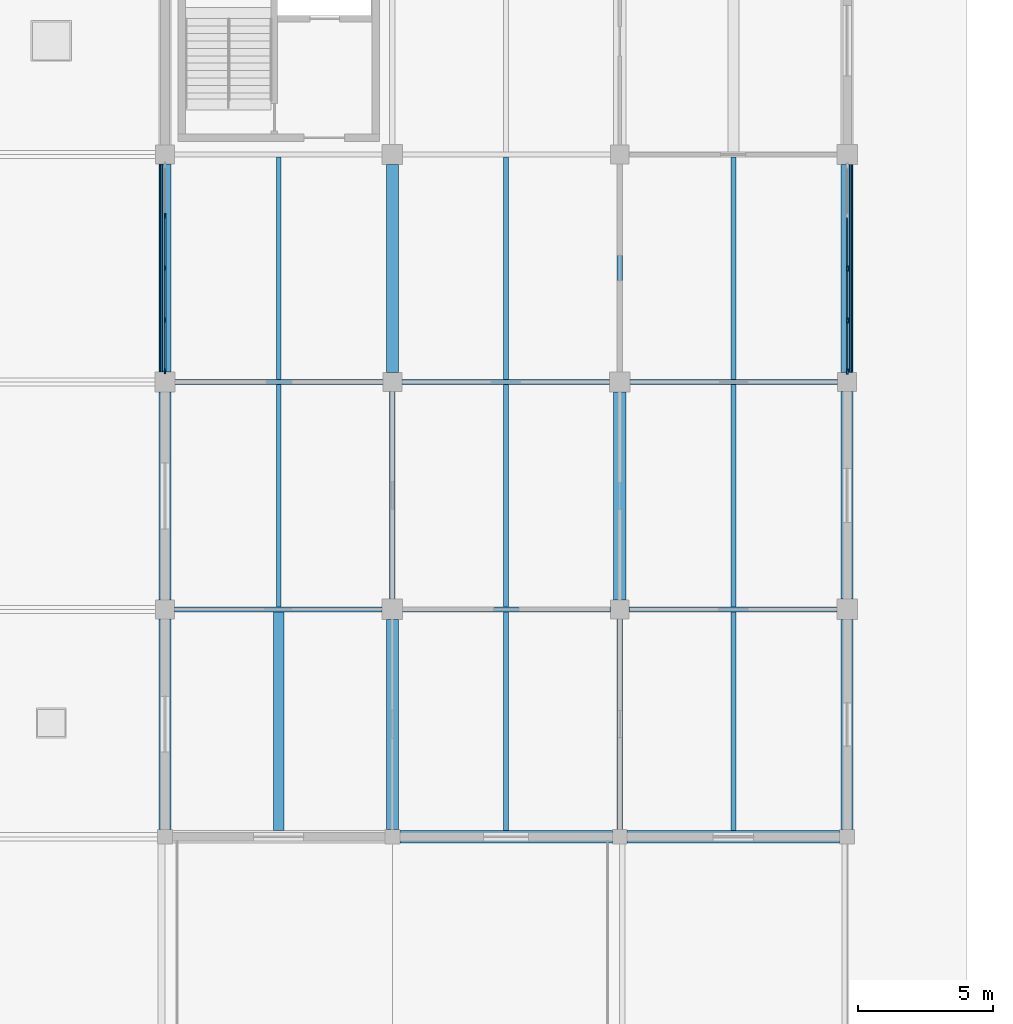
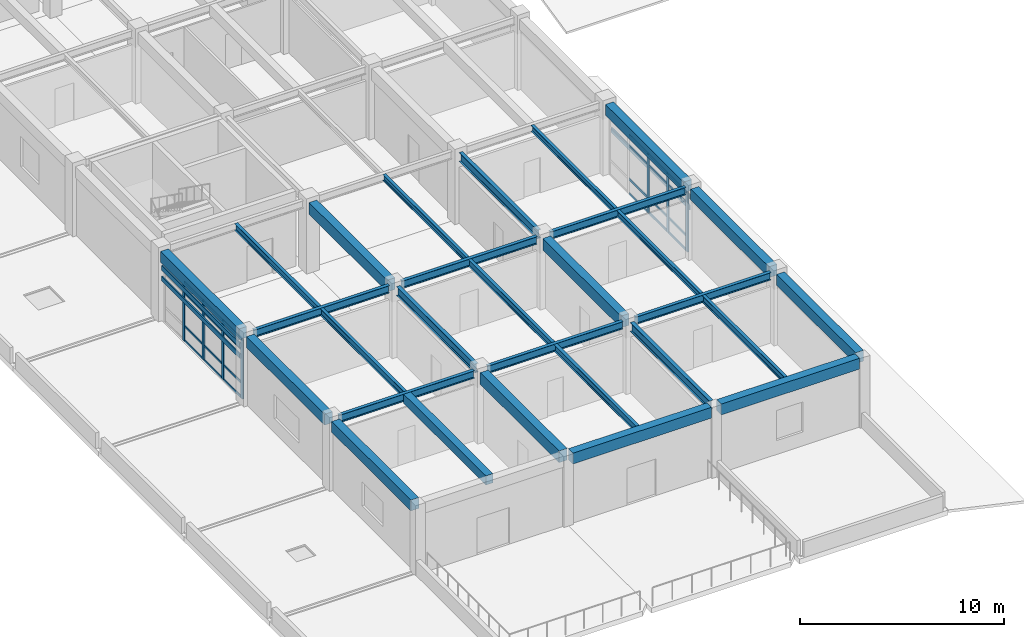
# One storey, part 3 of 78: 35 members, 29 beams, 2 elements without a shape of their own.
"""IFC4 building model written with IfcOpenShell, lengths in metres."""

import ifcopenshell
import ifcopenshell.guid

model = None  # the IFC model being written
_history = None  # IfcOwnerHistory: only IFC2X3 demands one
_inside = {}  # id of a spatial element -> (the spatial element, [elements in it])
_under = {}  # id of a project, library or spatial element -> (it, [spatial elements below it])
_declared = {}  # id of a project -> (the project, [libraries it declares])
_typed = {}  # id of a type object -> (the type object, [elements of that type])
_made_of = {}  # id of a material, layer set ... -> (it, [elements and type objects made of it])


def new_model(schema):
    """Start an empty IFC model of exactly this schema.

    Asked for "IFC4X3", IfcOpenShell would pick the latest addendum, in which some entities
    have other attributes; the version numbers below select the first issue.
    IFC2X3 requires an IfcOwnerHistory on every rooted entity: one is made here for all.
    """
    global model, _history
    if schema == "IFC4X3":
        model = ifcopenshell.file(schema_version=(4, 3, 0, 0))
    else:
        model = ifcopenshell.file(schema=schema)
    _inside.clear()
    _under.clear()
    _declared.clear()
    _typed.clear()
    _made_of.clear()
    _history = None
    if model.schema == "IFC2X3":
        org = make("IfcOrganization", Name="unknown")
        user = make(
            "IfcPersonAndOrganization",
            ThePerson=make("IfcPerson", FamilyName="unknown"),
            TheOrganization=org,
        )
        app = make(
            "IfcApplication",
            ApplicationDeveloper=org,
            Version="unknown",
            ApplicationFullName="unknown",
            ApplicationIdentifier="unknown",
        )
        _history = make(
            "IfcOwnerHistory",
            OwningUser=user,
            OwningApplication=app,
            ChangeAction="ADDED",
            CreationDate=0,
        )
    return model


def make(cls, **values):
    """One entity of the class cls with the attributes given. An attribute that is None is left unset."""
    return model.create_entity(
        cls, **{name: value for name, value in values.items() if value is not None}
    )


def rooted(cls, **values):
    """An entity with a GlobalId (a new one), such as an element, a storey or a relation."""
    return make(cls, GlobalId=ifcopenshell.guid.new(), OwnerHistory=_history, **values)


def si_unit(unit_type, name, prefix=None):
    """IfcSIUnit, for example si_unit("LENGTHUNIT", "METRE", prefix="MILLI")."""
    return make("IfcSIUnit", UnitType=unit_type, Prefix=prefix, Name=name)


def assignment(units):
    """IfcUnitAssignment: the units of a project."""
    return None if units is None else make("IfcUnitAssignment", Units=units)


def point(xyz):
    """IfcCartesianPoint."""
    return None if xyz is None else make("IfcCartesianPoint", Coordinates=xyz)


def direction(xyz):
    """IfcDirection."""
    return None if xyz is None else make("IfcDirection", DirectionRatios=xyz)


def frame(location, z_axis=None, x_axis=None):
    """IfcAxis2Placement3D, a coordinate frame: its origin and axes. An axis left out is left unset."""
    return make(
        "IfcAxis2Placement3D",
        Location=point(location),
        Axis=direction(z_axis),
        RefDirection=direction(x_axis),
    )


def frame_2d(location, x_axis=None):
    """IfcAxis2Placement2D, a coordinate frame in the plane: its origin and x axis."""
    return make(
        "IfcAxis2Placement2D", Location=point(location), RefDirection=direction(x_axis)
    )


def origin():
    """The frame at (0, 0, 0) with its axes left unset."""
    return frame((0.0, 0.0, 0.0))


def origin_2d():
    """The frame at (0, 0) in the plane with its x axis left unset."""
    return frame_2d((0.0, 0.0))


def place(relative_to, where):
    """IfcLocalPlacement: puts the frame where relative to a parent placement (None: the world)."""
    return make(
        "IfcLocalPlacement", PlacementRelTo=relative_to, RelativePlacement=where
    )


def context(
    kind, dimensions, precision=None, world=None, true_north=None, identifier=None
):
    """IfcGeometricRepresentationContext, for example the 3D "Model" context."""
    return make(
        "IfcGeometricRepresentationContext",
        ContextIdentifier=identifier,
        ContextType=kind,
        CoordinateSpaceDimension=dimensions,
        Precision=precision,
        WorldCoordinateSystem=world,
        TrueNorth=true_north,
    )


def subcontext(parent, identifier, kind, view, scale=None):
    """IfcGeometricRepresentationSubContext, for example "Body" below "Model"."""
    return make(
        "IfcGeometricRepresentationSubContext",
        ContextIdentifier=identifier,
        ContextType=kind,
        ParentContext=parent,
        TargetScale=scale,
        TargetView=view,
    )


def project(units=None, contexts=None):
    """IfcProject with its units and contexts."""
    return rooted(
        "IfcProject",
        Name="project",
        RepresentationContexts=contexts,
        UnitsInContext=assignment(units),
    )


def spatial(cls, under=None, at=None, **own):
    """A site, building, storey or space (cls), placed at a placement, below another one or the project."""
    s = rooted(cls, ObjectPlacement=at, **own)
    if under is not None:
        _under.setdefault(under.id(), (under, []))[1].append(s)
    return s


def profile(cls, at=None, kind="AREA", **sizes):
    """A parametric profile (cls). Its sizes go by their IFC names, for example OverallWidth=200.0."""
    return make(cls, ProfileType=kind, Position=at, **sizes)


def rectangle(**sizes):
    """IfcRectangleProfileDef."""
    return profile("IfcRectangleProfileDef", **sizes)


def i_section(**sizes):
    """IfcIShapeProfileDef."""
    return profile("IfcIShapeProfileDef", **sizes)


def extrude(swept, where, along, depth):
    """IfcExtrudedAreaSolid: the profile swept, set in the frame where, extruded along a direction by depth."""
    return make(
        "IfcExtrudedAreaSolid",
        SweptArea=swept,
        Position=where,
        ExtrudedDirection=direction(along),
        Depth=depth,
    )


def shape(context_of_items, identifier, shape_type, items):
    """IfcShapeRepresentation: the items that make up one representation, for example the "Body"."""
    return make(
        "IfcShapeRepresentation",
        ContextOfItems=context_of_items,
        RepresentationIdentifier=identifier,
        RepresentationType=shape_type,
        Items=items,
    )


def material(Name=None, Category=None):
    """IfcMaterial."""
    return make("IfcMaterial", Name=Name, Category=Category)


def layer(
    of_material, thickness, ventilated=None, Name=None, Category=None, Priority=None
):
    """IfcMaterialLayer: one layer of a wall or slab, of a material (None: an air gap)."""
    return make(
        "IfcMaterialLayer",
        Material=of_material,
        LayerThickness=thickness,
        IsVentilated=ventilated,
        Name=Name,
        Category=Category,
        Priority=Priority,
    )


def layer_set(layers, Name=None):
    """IfcMaterialLayerSet."""
    return make("IfcMaterialLayerSet", MaterialLayers=layers, LayerSetName=Name)


def material_profile(
    of_material, cross_section, Name=None, Category=None, Priority=None
):
    """IfcMaterialProfile: a cross section and its material."""
    return make(
        "IfcMaterialProfile",
        Name=Name,
        Material=of_material,
        Profile=cross_section,
        Priority=Priority,
        Category=Category,
    )


def profile_set(profiles, Name=None, composite=None):
    """IfcMaterialProfileSet."""
    return make(
        "IfcMaterialProfileSet",
        Name=Name,
        MaterialProfiles=profiles,
        CompositeProfile=composite,
    )


def made_of(thing, what):
    """Note that an element or type object is made of a material, layer set ...; save() writes the relation."""
    if what is not None:
        _made_of.setdefault(what.id(), (what, []))[1].append(thing)
    return thing


def type_object(cls, material=None, **own):
    """A type object (cls), such as IfcWallType, which elements share."""
    return made_of(rooted(cls, **own), material)


def element(
    cls,
    number,
    at=None,
    inside=None,
    cuts=None,
    type_object=None,
    material=None,
    context=None,
    identifier="Body",
    shape_type=None,
    held_by="IfcProductDefinitionShape",
    body=None,
    shapes=None,
    **own,
):
    """One element of the class cls, such as IfcWall. Its Tag is "e" and its number.

    at: its placement. inside: the storey or other place that contains it. cuts: it is an
    opening in that element (IfcRelVoidsElement). A single representation is given by context,
    identifier, shape_type and body (its items); several are given by shapes. held_by: the class
    of the entity that holds the representations. save() writes the other relations.
    """
    e = rooted(cls, Tag="e%d" % number, ObjectPlacement=at, **own)
    if body is not None:
        shapes = [shape(context, identifier, shape_type, body)]
    if shapes is not None:
        e.Representation = make(held_by, Representations=shapes)
    if inside is not None:
        _inside.setdefault(inside.id(), (inside, []))[1].append(e)
    if cuts is not None:
        rooted(
            "IfcRelVoidsElement", RelatingBuildingElement=cuts, RelatedOpeningElement=e
        )
    if type_object is not None:
        _typed.setdefault(type_object.id(), (type_object, []))[1].append(e)
    return made_of(e, material)


def aggregate(whole, parts):
    """IfcRelAggregates: a whole, such as a stair, and the parts it consists of."""
    return rooted("IfcRelAggregates", RelatingObject=whole, RelatedObjects=parts)


def save(model, path):
    """Write the relations noted so far, then the file.

    IfcRelAggregates (storeys below a building ...), IfcRelContainedInSpatialStructure (elements
    in a storey), IfcRelDefinesByType, IfcRelAssociatesMaterial and IfcRelDeclares: one each for
    every whole, place, type object, material and project.
    """
    for whole, parts in _under.values():
        aggregate(whole, parts)
    for where, things in _inside.values():
        rooted(
            "IfcRelContainedInSpatialStructure",
            RelatedElements=things,
            RelatingStructure=where,
        )
    for kind, things in _typed.values():
        rooted("IfcRelDefinesByType", RelatedObjects=things, RelatingType=kind)
    for what, things in _made_of.values():
        rooted("IfcRelAssociatesMaterial", RelatedObjects=things, RelatingMaterial=what)
    for by, libraries in _declared.values():
        rooted("IfcRelDeclares", RelatingContext=by, RelatedDefinitions=libraries)
    model.write(path)


model = new_model("IFC4")

# Units and contexts
model_context = context("Model", 3, precision=1e-05, world=origin(), true_north=direction((0.0, 1.0)))
body_context = subcontext(model_context, "Body", "Model", "MODEL_VIEW")
ifc_project = project(units=[si_unit("LENGTHUNIT", "METRE"), si_unit("AREAUNIT", "SQUARE_METRE"), si_unit("VOLUMEUNIT", "CUBIC_METRE"), si_unit("PLANEANGLEUNIT", "RADIAN"), si_unit("MASSUNIT", "GRAM", prefix="KILO")], contexts=[model_context])

# Site, building, storey
site_placement = place(None, origin())
site = spatial("IfcSite", under=ifc_project, at=site_placement, CompositionType="ELEMENT")
building_placement = place(site_placement, origin())
building = spatial("IfcBuilding", under=site, at=building_placement, Name="Porcellanite Civic Hall", CompositionType="ELEMENT")
storey_placement = place(building_placement, frame((0.0, 0.0, 10.260009765625)))
storey = spatial("IfcBuildingStorey", under=building, at=storey_placement, Name="L02", CompositionType="ELEMENT", Elevation=10.260009765625)

# Beams
ifc_material_1 = material(Name="Concrete N50 (50 MPa)", Category="concrete")
ifc_material_profile_1 = material_profile(ifc_material_1, rectangle(XDim=0.39990234375, YDim=0.550048828125, at=origin_2d()), Name="RC-400x550")
ifc_profile_set_1 = profile_set([ifc_material_profile_1], Name="Concrete N50 (50 MPa)")
beam_type_1 = type_object("IfcBeamType", Name="BM-RC550", PredefinedType="JOIST", material=ifc_profile_set_1)
beam_1_placement = place(storey_placement, frame((12.60009765625, 8.62451171875, 3.965087890625), z_axis=(0.0, 1.0, 0.0), x_axis=(-1.0, 0.0, 0.0)))
element("IfcBeam", 1, at=beam_1_placement, inside=storey, type_object=beam_type_1, Name="Secondary joist L02 2-2", PredefinedType="JOIST", context=body_context, shape_type="SweptSolid", body=[
    extrude(rectangle(XDim=0.39990234375, YDim=0.550048828125, at=origin_2d()), origin(), (0.0, 0.0, 1.0), 8.0810546875),
])
ifc_material_2 = material(Name="Concrete N50 (50 MPa)", Category="concrete")
ifc_material_profile_2 = material_profile(ifc_material_2, rectangle(XDim=0.449951171875, YDim=0.64990234375, at=origin_2d()), Name="RC-450x650")
ifc_profile_set_2 = profile_set([ifc_material_profile_2], Name="Concrete N50 (50 MPa)")
beam_type_2 = type_object("IfcBeamType", Name="BM-RC650", PredefinedType="SPANDREL", material=ifc_profile_set_2)
beam_2_placement = place(storey_placement, frame((17.074462890625, 8.39990234375, 3.9150390625), z_axis=(1.0, 0.0, 0.0), x_axis=(0.0, 1.0, 0.0)))
element("IfcBeam", 2, at=beam_2_placement, inside=storey, type_object=beam_type_2, Name="Beam X L02 3-2", PredefinedType="SPANDREL", context=body_context, shape_type="SweptSolid", body=[
    extrude(rectangle(XDim=0.449951171875, YDim=0.64990234375, at=origin_2d()), origin(), (0.0, 0.0, 1.0), 7.85107421875),
])
beam_3_placement = place(storey_placement, frame((25.474609375, 8.39990234375, 3.9150390625), z_axis=(1.0, 0.0, 0.0), x_axis=(0.0, 1.0, 0.0)))
element("IfcBeam", 3, at=beam_3_placement, inside=storey, type_object=beam_type_2, Name="Beam X L02 4-2", PredefinedType="SPANDREL", context=body_context, shape_type="SweptSolid", body=[
    extrude(rectangle(XDim=0.449951171875, YDim=0.64990234375, at=origin_2d()), origin(), (0.0, 0.0, 1.0), 7.850830078125),
])
beam_4_placement = place(storey_placement, frame((8.39990234375, 8.674560546875, 3.9150390625), z_axis=(0.0, 1.0, 0.0), x_axis=(-1.0, 0.0, 0.0)))
element("IfcBeam", 4, at=beam_4_placement, inside=storey, type_object=beam_type_2, Name="Beam Y L02 2-2", PredefinedType="SPANDREL", context=body_context, shape_type="SweptSolid", body=[
    extrude(rectangle(XDim=0.449951171875, YDim=0.64990234375, at=origin_2d()), origin(), (0.0, 0.0, 1.0), 7.77587890625),
])
for number, where, z_axis, x_axis, name in (
    (5, (8.39990234375, 17.1494140625, 3.9150390625), (0.0, 1.0, 0.0), (-1.0, 0.0, 0.0), "Beam Y L02 2-3"),
    (6, (8.39990234375, 25.574462890625, 3.9150390625), (0.0, 1.0, 0.0), (-1.0, 0.0, 0.0), "Beam Y L02 2-4"),
):
    element("IfcBeam", number, at=place(storey_placement, frame(where, z_axis=z_axis, x_axis=x_axis)), inside=storey, type_object=beam_type_2, Name=name, PredefinedType="SPANDREL", context=body_context, shape_type="SweptSolid", body=[
        extrude(rectangle(XDim=0.449951171875, YDim=0.64990234375, at=origin_2d()), origin(), (0.0, 0.0, 1.0), 7.676025390625),
    ])
beam_5_placement = place(storey_placement, frame((33.60009765625, 8.674560546875, 3.9150390625), z_axis=(0.0, 1.0, 0.0), x_axis=(-1.0, 0.0, 0.0)))
element("IfcBeam", 7, at=beam_5_placement, inside=storey, type_object=beam_type_2, Name="Beam Y L02 5-2", PredefinedType="SPANDREL", context=body_context, shape_type="SweptSolid", body=[
    extrude(rectangle(XDim=0.449951171875, YDim=0.64990234375, at=origin_2d()), origin(), (0.0, 0.0, 1.0), 7.7509765625),
])
for number, where, z_axis, x_axis, name in (
    (8, (33.60009765625, 17.174560546875, 3.9150390625), (0.0, 1.0, 0.0), (-1.0, 0.0, 0.0), "Beam Y L02 5-3"),
    (9, (33.60009765625, 25.549560546875, 3.9150390625), (0.0, 1.0, 0.0), (-1.0, 0.0, 0.0), "Beam Y L02 5-4"),
):
    element("IfcBeam", number, at=place(storey_placement, frame(where, z_axis=z_axis, x_axis=x_axis)), inside=storey, type_object=beam_type_2, Name=name, PredefinedType="SPANDREL", context=body_context, shape_type="SweptSolid", body=[
        extrude(rectangle(XDim=0.449951171875, YDim=0.64990234375, at=origin_2d()), origin(), (0.0, 0.0, 1.0), 7.676025390625),
    ])
ifc_material_3 = material(Name="Concrete N50 (50 MPa)", Category="concrete")
ifc_material_profile_3 = material_profile(ifc_material_3, rectangle(XDim=0.449951171875, YDim=0.699951171875, at=origin_2d()), Name="RC-450x700")
ifc_profile_set_3 = profile_set([ifc_material_profile_3], Name="Concrete N50 (50 MPa)")
beam_type_3 = type_object("IfcBeamType", Name="BM-RC700", PredefinedType="BEAM", material=ifc_profile_set_3)
beam_6_placement = place(storey_placement, frame((16.800048828125, 8.674560546875, 3.889892578125), z_axis=(0.0, 1.0, 0.0), x_axis=(-1.0, 0.0, 0.0)))
element("IfcBeam", 10, at=beam_6_placement, inside=storey, type_object=beam_type_3, Name="Beam Y L02 3-2", PredefinedType="BEAM", context=body_context, shape_type="SweptSolid", body=[
    extrude(rectangle(XDim=0.449951171875, YDim=0.699951171875, at=origin_2d()), origin(), (0.0, 0.0, 1.0), 7.7509765625),
])
for number, where, z_axis, x_axis, name in (
    (11, (16.800048828125, 25.549560546875, 3.889892578125), (0.0, 1.0, 0.0), (-1.0, 0.0, 0.0), "Beam Y L02 3-4"),
    (12, (25.199951171875, 17.1494140625, 3.889892578125), (0.0, 1.0, 0.0), (-1.0, 0.0, 0.0), "Beam Y L02 4-3"),
):
    element("IfcBeam", number, at=place(storey_placement, frame(where, z_axis=z_axis, x_axis=x_axis)), inside=storey, type_object=beam_type_3, Name=name, PredefinedType="BEAM", context=body_context, shape_type="SweptSolid", body=[
        extrude(rectangle(XDim=0.449951171875, YDim=0.699951171875, at=origin_2d()), origin(), (0.0, 0.0, 1.0), 7.676025390625),
    ])

# Curtain wall, members
ifc_material_4 = material(Name="Anodised aluminium and solar laminated glass", Category="aluminium")
ifc_layer = layer(ifc_material_4, 0.179931640625)
ifc_layer_set = layer_set([ifc_layer], Name="Anodised aluminium and solar laminated glass")
curtain_wall_type = type_object("IfcCurtainWallType", Name="CW-SYS05", PredefinedType="NOTDEFINED", material=ifc_layer_set)
curtain_wall_1_placement = place(storey_placement, origin())
curtain_wall_1 = element("IfcCurtainWall", 13, at=curtain_wall_1_placement, inside=storey, type_object=curtain_wall_type, Name="Curtain wall CW-132", PredefinedType="NOTDEFINED")
ifc_material_5 = material(Name="Anodised aluminium 6063-T6", Category="aluminium")
ifc_material_profile_4 = material_profile(ifc_material_5, rectangle(XDim=0.070068359375, YDim=0.199951171875, at=origin_2d()), Name="AL-70x200")
ifc_profile_set_4 = profile_set([ifc_material_profile_4], Name="Anodised aluminium 6063-T6")
member_type_1 = type_object("IfcMemberType", Name="CWM-05", PredefinedType="MULLION", material=ifc_profile_set_4)
member_1_placement = place(storey_placement, frame((8.39990234375, 25.611083984375, 0.0), z_axis=(0.0, 0.0, 1.0), x_axis=(-1.0, 0.0, 0.0)))
member_1 = element("IfcMember", 14, at=member_1_placement, type_object=member_type_1, Name="CW-132 mullion 1", PredefinedType="MULLION", context=body_context, shape_type="SweptSolid", body=[
    extrude(rectangle(XDim=0.070068359375, YDim=0.199951171875, at=origin_2d()), origin(), (0.0, 0.0, 1.0), 3.5400390625),
])
member_2_placement = place(storey_placement, frame((8.39990234375, 27.494140625, 0.0), z_axis=(0.0, 0.0, 1.0), x_axis=(-1.0, 0.0, 0.0)))
member_2 = element("IfcMember", 15, at=member_2_placement, type_object=member_type_1, Name="CW-132 mullion 2", PredefinedType="MULLION", context=body_context, shape_type="SweptSolid", body=[
    extrude(rectangle(XDim=0.070068359375, YDim=0.199951171875, at=origin_2d()), origin(), (0.0, 0.0, 1.0), 3.5400390625),
])
member_3_placement = place(storey_placement, frame((8.39990234375, 29.41259765625, 0.0), z_axis=(0.0, 0.0, 1.0), x_axis=(-1.0, 0.0, 0.0)))
member_3 = element("IfcMember", 16, at=member_3_placement, type_object=member_type_1, Name="CW-132 mullion 3", PredefinedType="MULLION", context=body_context, shape_type="SweptSolid", body=[
    extrude(rectangle(XDim=0.070068359375, YDim=0.199951171875, at=origin_2d()), origin(), (0.0, 0.0, 1.0), 3.5400390625),
])
member_4_placement = place(storey_placement, frame((8.39990234375, 31.330810546875, 0.0), z_axis=(0.0, 0.0, 1.0), x_axis=(-1.0, 0.0, 0.0)))
member_4 = element("IfcMember", 17, at=member_4_placement, type_object=member_type_1, Name="CW-132 mullion 4", PredefinedType="MULLION", context=body_context, shape_type="SweptSolid", body=[
    extrude(rectangle(XDim=0.070068359375, YDim=0.199951171875, at=origin_2d()), origin(), (0.0, 0.0, 1.0), 3.5400390625),
])

curtain_wall_2_placement = place(storey_placement, origin())
curtain_wall_2 = element("IfcCurtainWall", 18, at=curtain_wall_2_placement, inside=storey, type_object=curtain_wall_type, Name="Curtain wall CW-135", PredefinedType="NOTDEFINED")
member_5_placement = place(storey_placement, frame((33.60009765625, 29.387451171875, 0.0), z_axis=(0.0, 0.0, 1.0), x_axis=(1.0, 0.0, 0.0)))
member_5 = element("IfcMember", 19, at=member_5_placement, type_object=member_type_1, Name="CW-135 mullion 3", PredefinedType="MULLION", context=body_context, shape_type="SweptSolid", body=[
    extrude(rectangle(XDim=0.070068359375, YDim=0.199951171875, at=origin_2d()), origin(), (0.0, 0.0, 1.0), 3.5400390625),
])
member_6_placement = place(storey_placement, frame((33.60009765625, 27.46923828125, 0.0), z_axis=(0.0, 0.0, 1.0), x_axis=(1.0, 0.0, 0.0)))
member_6 = element("IfcMember", 20, at=member_6_placement, type_object=member_type_1, Name="CW-135 mullion 4", PredefinedType="MULLION", context=body_context, shape_type="SweptSolid", body=[
    extrude(rectangle(XDim=0.070068359375, YDim=0.199951171875, at=origin_2d()), origin(), (0.0, 0.0, 1.0), 3.5400390625),
])
member_7_placement = place(storey_placement, frame((33.60009765625, 25.5859375, 0.0), z_axis=(0.0, 0.0, 1.0), x_axis=(1.0, 0.0, 0.0)))
member_7 = element("IfcMember", 21, at=member_7_placement, type_object=member_type_1, Name="CW-135 mullion 5", PredefinedType="MULLION", context=body_context, shape_type="SweptSolid", body=[
    extrude(rectangle(XDim=0.070068359375, YDim=0.199951171875, at=origin_2d()), origin(), (0.0, 0.0, 1.0), 3.5400390625),
])

# Member
ifc_material_6 = material(Name="Anodised aluminium 6063-T6", Category="aluminium")
ifc_material_profile_5 = material_profile(ifc_material_6, rectangle(XDim=0.06005859375, YDim=0.1298828125, at=origin_2d()), Name="AL-60x130")
ifc_profile_set_5 = profile_set([ifc_material_profile_5], Name="Anodised aluminium 6063-T6")
member_type_2 = type_object("IfcMemberType", Name="CWT-03", PredefinedType="USERDEFINED", material=ifc_profile_set_5)
member_8_placement = place(storey_placement, frame((8.39990234375, 25.64599609375, 0.030029296875), z_axis=(0.0, 1.0, 0.0), x_axis=(-1.0, 0.0, 0.0)))
member_8 = element("IfcMember", 22, at=member_8_placement, type_object=member_type_2, Name="CW-132 transom 1.1", ObjectType="TRANSOM", PredefinedType="USERDEFINED", context=body_context, shape_type="SweptSolid", body=[
    extrude(rectangle(XDim=0.06005859375, YDim=0.1298828125, at=origin_2d()), origin(), (0.0, 0.0, 1.0), 1.813232421875),
])

member_9_placement = place(storey_placement, frame((8.39990234375, 25.64599609375, 0.89990234375), z_axis=(0.0, 1.0, 0.0), x_axis=(-1.0, 0.0, 0.0)))
member_9 = element("IfcMember", 23, at=member_9_placement, type_object=member_type_2, Name="CW-132 transom 1.2", ObjectType="TRANSOM", PredefinedType="USERDEFINED", context=body_context, shape_type="SweptSolid", body=[
    extrude(rectangle(XDim=0.06005859375, YDim=0.1298828125, at=origin_2d()), origin(), (0.0, 0.0, 1.0), 1.813232421875),
])

member_10_placement = place(storey_placement, frame((8.39990234375, 25.64599609375, 2.889892578125), z_axis=(0.0, 1.0, 0.0), x_axis=(-1.0, 0.0, 0.0)))
member_10 = element("IfcMember", 24, at=member_10_placement, type_object=member_type_2, Name="CW-132 transom 1.3", ObjectType="TRANSOM", PredefinedType="USERDEFINED", context=body_context, shape_type="SweptSolid", body=[
    extrude(rectangle(XDim=0.06005859375, YDim=0.1298828125, at=origin_2d()), origin(), (0.0, 0.0, 1.0), 1.813232421875),
])

member_11_placement = place(storey_placement, frame((8.39990234375, 25.64599609375, 3.510009765625), z_axis=(0.0, 1.0, 0.0), x_axis=(-1.0, 0.0, 0.0)))
member_11 = element("IfcMember", 25, at=member_11_placement, type_object=member_type_2, Name="CW-132 transom 1.4", ObjectType="TRANSOM", PredefinedType="USERDEFINED", context=body_context, shape_type="SweptSolid", body=[
    extrude(rectangle(XDim=0.06005859375, YDim=0.1298828125, at=origin_2d()), origin(), (0.0, 0.0, 1.0), 1.813232421875),
])

member_12_placement = place(storey_placement, frame((8.39990234375, 27.529296875, 0.030029296875), z_axis=(0.0, 1.0, 0.0), x_axis=(-1.0, 0.0, 0.0)))
member_12 = element("IfcMember", 26, at=member_12_placement, type_object=member_type_2, Name="CW-132 transom 2.1", ObjectType="TRANSOM", PredefinedType="USERDEFINED", context=body_context, shape_type="SweptSolid", body=[
    extrude(rectangle(XDim=0.06005859375, YDim=0.1298828125, at=origin_2d()), origin(), (0.0, 0.0, 1.0), 1.84814453125),
])

member_13_placement = place(storey_placement, frame((8.39990234375, 27.529296875, 0.89990234375), z_axis=(0.0, 1.0, 0.0), x_axis=(-1.0, 0.0, 0.0)))
member_13 = element("IfcMember", 27, at=member_13_placement, type_object=member_type_2, Name="CW-132 transom 2.2", ObjectType="TRANSOM", PredefinedType="USERDEFINED", context=body_context, shape_type="SweptSolid", body=[
    extrude(rectangle(XDim=0.06005859375, YDim=0.1298828125, at=origin_2d()), origin(), (0.0, 0.0, 1.0), 1.84814453125),
])

member_14_placement = place(storey_placement, frame((8.39990234375, 27.529296875, 2.889892578125), z_axis=(0.0, 1.0, 0.0), x_axis=(-1.0, 0.0, 0.0)))
member_14 = element("IfcMember", 28, at=member_14_placement, type_object=member_type_2, Name="CW-132 transom 2.3", ObjectType="TRANSOM", PredefinedType="USERDEFINED", context=body_context, shape_type="SweptSolid", body=[
    extrude(rectangle(XDim=0.06005859375, YDim=0.1298828125, at=origin_2d()), origin(), (0.0, 0.0, 1.0), 1.84814453125),
])

member_15_placement = place(storey_placement, frame((8.39990234375, 27.529296875, 3.510009765625), z_axis=(0.0, 1.0, 0.0), x_axis=(-1.0, 0.0, 0.0)))
member_15 = element("IfcMember", 29, at=member_15_placement, type_object=member_type_2, Name="CW-132 transom 2.4", ObjectType="TRANSOM", PredefinedType="USERDEFINED", context=body_context, shape_type="SweptSolid", body=[
    extrude(rectangle(XDim=0.06005859375, YDim=0.1298828125, at=origin_2d()), origin(), (0.0, 0.0, 1.0), 1.84814453125),
])

member_16_placement = place(storey_placement, frame((8.39990234375, 29.447509765625, 0.030029296875), z_axis=(0.0, 1.0, 0.0), x_axis=(-1.0, 0.0, 0.0)))
member_16 = element("IfcMember", 30, at=member_16_placement, type_object=member_type_2, Name="CW-132 transom 3.1", ObjectType="TRANSOM", PredefinedType="USERDEFINED", context=body_context, shape_type="SweptSolid", body=[
    extrude(rectangle(XDim=0.06005859375, YDim=0.1298828125, at=origin_2d()), origin(), (0.0, 0.0, 1.0), 1.84814453125),
])

member_17_placement = place(storey_placement, frame((8.39990234375, 29.447509765625, 0.89990234375), z_axis=(0.0, 1.0, 0.0), x_axis=(-1.0, 0.0, 0.0)))
member_17 = element("IfcMember", 31, at=member_17_placement, type_object=member_type_2, Name="CW-132 transom 3.2", ObjectType="TRANSOM", PredefinedType="USERDEFINED", context=body_context, shape_type="SweptSolid", body=[
    extrude(rectangle(XDim=0.06005859375, YDim=0.1298828125, at=origin_2d()), origin(), (0.0, 0.0, 1.0), 1.84814453125),
])

member_18_placement = place(storey_placement, frame((8.39990234375, 29.447509765625, 2.889892578125), z_axis=(0.0, 1.0, 0.0), x_axis=(-1.0, 0.0, 0.0)))
member_18 = element("IfcMember", 32, at=member_18_placement, type_object=member_type_2, Name="CW-132 transom 3.3", ObjectType="TRANSOM", PredefinedType="USERDEFINED", context=body_context, shape_type="SweptSolid", body=[
    extrude(rectangle(XDim=0.06005859375, YDim=0.1298828125, at=origin_2d()), origin(), (0.0, 0.0, 1.0), 1.84814453125),
])

member_19_placement = place(storey_placement, frame((8.39990234375, 29.447509765625, 3.510009765625), z_axis=(0.0, 1.0, 0.0), x_axis=(-1.0, 0.0, 0.0)))
member_19 = element("IfcMember", 33, at=member_19_placement, type_object=member_type_2, Name="CW-132 transom 3.4", ObjectType="TRANSOM", PredefinedType="USERDEFINED", context=body_context, shape_type="SweptSolid", body=[
    extrude(rectangle(XDim=0.06005859375, YDim=0.1298828125, at=origin_2d()), origin(), (0.0, 0.0, 1.0), 1.84814453125),
])

aggregate(curtain_wall_1, [member_1, member_2, member_3, member_4, member_8, member_9, member_10, member_11, member_12, member_13, member_14, member_15, member_16, member_17, member_18, member_19])

member_20_placement = place(storey_placement, frame((33.60009765625, 31.270751953125, 0.030029296875), z_axis=(0.0, -1.0, 0.0), x_axis=(1.0, 0.0, 0.0)))
member_20 = element("IfcMember", 34, at=member_20_placement, type_object=member_type_2, Name="CW-135 transom 2.1", ObjectType="TRANSOM", PredefinedType="USERDEFINED", context=body_context, shape_type="SweptSolid", body=[
    extrude(rectangle(XDim=0.06005859375, YDim=0.1298828125, at=origin_2d()), origin(), (0.0, 0.0, 1.0), 1.84814453125),
])

member_21_placement = place(storey_placement, frame((33.60009765625, 31.270751953125, 0.89990234375), z_axis=(0.0, -1.0, 0.0), x_axis=(1.0, 0.0, 0.0)))
member_21 = element("IfcMember", 35, at=member_21_placement, type_object=member_type_2, Name="CW-135 transom 2.2", ObjectType="TRANSOM", PredefinedType="USERDEFINED", context=body_context, shape_type="SweptSolid", body=[
    extrude(rectangle(XDim=0.06005859375, YDim=0.1298828125, at=origin_2d()), origin(), (0.0, 0.0, 1.0), 1.84814453125),
])

member_22_placement = place(storey_placement, frame((33.60009765625, 31.270751953125, 2.889892578125), z_axis=(0.0, -1.0, 0.0), x_axis=(1.0, 0.0, 0.0)))
member_22 = element("IfcMember", 36, at=member_22_placement, type_object=member_type_2, Name="CW-135 transom 2.3", ObjectType="TRANSOM", PredefinedType="USERDEFINED", context=body_context, shape_type="SweptSolid", body=[
    extrude(rectangle(XDim=0.06005859375, YDim=0.1298828125, at=origin_2d()), origin(), (0.0, 0.0, 1.0), 1.84814453125),
])

member_23_placement = place(storey_placement, frame((33.60009765625, 31.270751953125, 3.510009765625), z_axis=(0.0, -1.0, 0.0), x_axis=(1.0, 0.0, 0.0)))
member_23 = element("IfcMember", 37, at=member_23_placement, type_object=member_type_2, Name="CW-135 transom 2.4", ObjectType="TRANSOM", PredefinedType="USERDEFINED", context=body_context, shape_type="SweptSolid", body=[
    extrude(rectangle(XDim=0.06005859375, YDim=0.1298828125, at=origin_2d()), origin(), (0.0, 0.0, 1.0), 1.84814453125),
])

member_24_placement = place(storey_placement, frame((33.60009765625, 29.3525390625, 0.030029296875), z_axis=(0.0, -1.0, 0.0), x_axis=(1.0, 0.0, 0.0)))
member_24 = element("IfcMember", 38, at=member_24_placement, type_object=member_type_2, Name="CW-135 transom 3.1", ObjectType="TRANSOM", PredefinedType="USERDEFINED", context=body_context, shape_type="SweptSolid", body=[
    extrude(rectangle(XDim=0.06005859375, YDim=0.1298828125, at=origin_2d()), origin(), (0.0, 0.0, 1.0), 1.848388671875),
])

member_25_placement = place(storey_placement, frame((33.60009765625, 29.3525390625, 0.89990234375), z_axis=(0.0, -1.0, 0.0), x_axis=(1.0, 0.0, 0.0)))
member_25 = element("IfcMember", 39, at=member_25_placement, type_object=member_type_2, Name="CW-135 transom 3.2", ObjectType="TRANSOM", PredefinedType="USERDEFINED", context=body_context, shape_type="SweptSolid", body=[
    extrude(rectangle(XDim=0.06005859375, YDim=0.1298828125, at=origin_2d()), origin(), (0.0, 0.0, 1.0), 1.848388671875),
])

member_26_placement = place(storey_placement, frame((33.60009765625, 29.3525390625, 2.889892578125), z_axis=(0.0, -1.0, 0.0), x_axis=(1.0, 0.0, 0.0)))
member_26 = element("IfcMember", 40, at=member_26_placement, type_object=member_type_2, Name="CW-135 transom 3.3", ObjectType="TRANSOM", PredefinedType="USERDEFINED", context=body_context, shape_type="SweptSolid", body=[
    extrude(rectangle(XDim=0.06005859375, YDim=0.1298828125, at=origin_2d()), origin(), (0.0, 0.0, 1.0), 1.848388671875),
])

member_27_placement = place(storey_placement, frame((33.60009765625, 29.3525390625, 3.510009765625), z_axis=(0.0, -1.0, 0.0), x_axis=(1.0, 0.0, 0.0)))
member_27 = element("IfcMember", 41, at=member_27_placement, type_object=member_type_2, Name="CW-135 transom 3.4", ObjectType="TRANSOM", PredefinedType="USERDEFINED", context=body_context, shape_type="SweptSolid", body=[
    extrude(rectangle(XDim=0.06005859375, YDim=0.1298828125, at=origin_2d()), origin(), (0.0, 0.0, 1.0), 1.848388671875),
])

member_28_placement = place(storey_placement, frame((33.60009765625, 27.434326171875, 0.030029296875), z_axis=(0.0, -1.0, 0.0), x_axis=(1.0, 0.0, 0.0)))
member_28 = element("IfcMember", 42, at=member_28_placement, type_object=member_type_2, Name="CW-135 transom 4.1", ObjectType="TRANSOM", PredefinedType="USERDEFINED", context=body_context, shape_type="SweptSolid", body=[
    extrude(rectangle(XDim=0.06005859375, YDim=0.1298828125, at=origin_2d()), origin(), (0.0, 0.0, 1.0), 1.813232421875),
])

member_29_placement = place(storey_placement, frame((33.60009765625, 27.434326171875, 0.89990234375), z_axis=(0.0, -1.0, 0.0), x_axis=(1.0, 0.0, 0.0)))
member_29 = element("IfcMember", 43, at=member_29_placement, type_object=member_type_2, Name="CW-135 transom 4.2", ObjectType="TRANSOM", PredefinedType="USERDEFINED", context=body_context, shape_type="SweptSolid", body=[
    extrude(rectangle(XDim=0.06005859375, YDim=0.1298828125, at=origin_2d()), origin(), (0.0, 0.0, 1.0), 1.813232421875),
])

member_30_placement = place(storey_placement, frame((33.60009765625, 27.434326171875, 2.889892578125), z_axis=(0.0, -1.0, 0.0), x_axis=(1.0, 0.0, 0.0)))
member_30 = element("IfcMember", 44, at=member_30_placement, type_object=member_type_2, Name="CW-135 transom 4.3", ObjectType="TRANSOM", PredefinedType="USERDEFINED", context=body_context, shape_type="SweptSolid", body=[
    extrude(rectangle(XDim=0.06005859375, YDim=0.1298828125, at=origin_2d()), origin(), (0.0, 0.0, 1.0), 1.813232421875),
])

member_31_placement = place(storey_placement, frame((33.60009765625, 27.434326171875, 3.510009765625), z_axis=(0.0, -1.0, 0.0), x_axis=(1.0, 0.0, 0.0)))
member_31 = element("IfcMember", 45, at=member_31_placement, type_object=member_type_2, Name="CW-135 transom 4.4", ObjectType="TRANSOM", PredefinedType="USERDEFINED", context=body_context, shape_type="SweptSolid", body=[
    extrude(rectangle(XDim=0.06005859375, YDim=0.1298828125, at=origin_2d()), origin(), (0.0, 0.0, 1.0), 1.813232421875),
])

aggregate(curtain_wall_2, [member_5, member_6, member_7, member_20, member_21, member_22, member_23, member_24, member_25, member_26, member_27, member_28, member_29, member_30, member_31])

# Beams
ifc_material_7 = material(Name="Steel Grade 350", Category="steel")
ifc_material_profile_6 = material_profile(ifc_material_7, i_section(OverallWidth=0.1708984375, OverallDepth=0.35595703125, WebThickness=0.00732421875, FlangeThickness=0.011474609375, FilletRadius=0.011474609375, at=origin_2d()), Name="360UB50.7")
ifc_profile_set_6 = profile_set([ifc_material_profile_6], Name="Steel Grade 350")
beam_type_4 = type_object("IfcBeamType", Name="JST-360UB51", PredefinedType="JOIST", material=ifc_profile_set_6)
beam_7_placement = place(storey_placement, frame((29.39990234375, 25.29443359375, 4.06201171875), z_axis=(0.0, 1.0, 0.0), x_axis=(-1.0, 0.0, 0.0)))
element("IfcBeam", 46, at=beam_7_placement, inside=storey, type_object=beam_type_4, Name="Secondary joist L02 4-4", PredefinedType="JOIST", context=body_context, shape_type="SweptSolid", body=[
    extrude(i_section(OverallWidth=0.1708984375, OverallDepth=0.35595703125, WebThickness=0.00732421875, FlangeThickness=0.011474609375, FilletRadius=0.011474609375, at=origin_2d()), origin(), (0.0, 0.0, 1.0), 8.211181640625),
])
ifc_material_8 = material(Name="Steel Grade 350", Category="steel")
ifc_material_profile_7 = material_profile(ifc_material_8, i_section(OverallWidth=0.172119140625, OverallDepth=0.35888671875, WebThickness=0.008056640625, FlangeThickness=0.012939453125, FilletRadius=0.011474609375, at=origin_2d()), Name="360UB56.7")
ifc_profile_set_7 = profile_set([ifc_material_profile_7], Name="Steel Grade 350")
beam_type_5 = type_object("IfcBeamType", Name="JST-360UB57", PredefinedType="JOIST", material=ifc_profile_set_7)
beam_8_placement = place(storey_placement, frame((21.0, 25.29443359375, 4.060546875), z_axis=(0.0, 1.0, 0.0), x_axis=(-1.0, 0.0, 0.0)))
element("IfcBeam", 47, at=beam_8_placement, inside=storey, type_object=beam_type_5, Name="Secondary joist L02 3-4", PredefinedType="JOIST", context=body_context, shape_type="SweptSolid", body=[
    extrude(i_section(OverallWidth=0.172119140625, OverallDepth=0.35888671875, WebThickness=0.008056640625, FlangeThickness=0.012939453125, FilletRadius=0.011474609375, at=origin_2d()), origin(), (0.0, 0.0, 1.0), 8.211181640625),
])
beam_9_placement = place(storey_placement, frame((29.39990234375, 16.89453125, 4.060546875), z_axis=(0.0, 1.0, 0.0), x_axis=(-1.0, 0.0, 0.0)))
element("IfcBeam", 48, at=beam_9_placement, inside=storey, type_object=beam_type_5, Name="Secondary joist L02 4-3", PredefinedType="JOIST", context=body_context, shape_type="SweptSolid", body=[
    extrude(i_section(OverallWidth=0.172119140625, OverallDepth=0.35888671875, WebThickness=0.008056640625, FlangeThickness=0.012939453125, FilletRadius=0.011474609375, at=origin_2d()), origin(), (0.0, 0.0, 1.0), 8.2109375),
])
ifc_material_9 = material(Name="Steel Grade 350", Category="steel")
ifc_material_profile_8 = material_profile(ifc_material_9, i_section(OverallWidth=0.177978515625, OverallDepth=0.403076171875, WebThickness=0.007568359375, FlangeThickness=0.010986328125, FilletRadius=0.011474609375, at=origin_2d()), Name="410UB53.7")
ifc_profile_set_8 = profile_set([ifc_material_profile_8], Name="Steel Grade 350")
beam_type_6 = type_object("IfcBeamType", Name="JST-410UB54", PredefinedType="JOIST", material=ifc_profile_set_8)
beam_10_placement = place(storey_placement, frame((12.60009765625, 25.29443359375, 4.03857421875), z_axis=(0.0, 1.0, 0.0), x_axis=(-1.0, 0.0, 0.0)))
element("IfcBeam", 49, at=beam_10_placement, inside=storey, type_object=beam_type_6, Name="Secondary joist L02 2-4", PredefinedType="JOIST", context=body_context, shape_type="SweptSolid", body=[
    extrude(i_section(OverallWidth=0.177978515625, OverallDepth=0.403076171875, WebThickness=0.007568359375, FlangeThickness=0.010986328125, FilletRadius=0.011474609375, at=origin_2d()), origin(), (0.0, 0.0, 1.0), 8.211181640625),
])
beam_11_placement = place(storey_placement, frame((21.0, 16.89453125, 4.03857421875), z_axis=(0.0, 1.0, 0.0), x_axis=(-1.0, 0.0, 0.0)))
element("IfcBeam", 50, at=beam_11_placement, inside=storey, type_object=beam_type_6, Name="Secondary joist L02 3-3", PredefinedType="JOIST", context=body_context, shape_type="SweptSolid", body=[
    extrude(i_section(OverallWidth=0.177978515625, OverallDepth=0.403076171875, WebThickness=0.007568359375, FlangeThickness=0.010986328125, FilletRadius=0.011474609375, at=origin_2d()), origin(), (0.0, 0.0, 1.0), 8.2109375),
])
beam_12_placement = place(storey_placement, frame((29.39990234375, 8.62451171875, 4.03857421875), z_axis=(0.0, 1.0, 0.0), x_axis=(-1.0, 0.0, 0.0)))
element("IfcBeam", 51, at=beam_12_placement, inside=storey, type_object=beam_type_6, Name="Secondary joist L02 4-2", PredefinedType="JOIST", context=body_context, shape_type="SweptSolid", body=[
    extrude(i_section(OverallWidth=0.177978515625, OverallDepth=0.403076171875, WebThickness=0.007568359375, FlangeThickness=0.010986328125, FilletRadius=0.011474609375, at=origin_2d()), origin(), (0.0, 0.0, 1.0), 8.0810546875),
])
ifc_material_10 = material(Name="Steel Grade 350", Category="steel")
ifc_material_profile_9 = material_profile(ifc_material_10, i_section(OverallWidth=0.177978515625, OverallDepth=0.406005859375, WebThickness=0.0078125, FlangeThickness=0.0126953125, FilletRadius=0.011474609375, at=origin_2d()), Name="410UB59.7")
ifc_profile_set_9 = profile_set([ifc_material_profile_9], Name="Steel Grade 350")
beam_type_7 = type_object("IfcBeamType", Name="JST-410UB60", PredefinedType="JOIST", material=ifc_profile_set_9)
beam_13_placement = place(storey_placement, frame((12.60009765625, 16.89453125, 4.037109375), z_axis=(0.0, 1.0, 0.0), x_axis=(-1.0, 0.0, 0.0)))
element("IfcBeam", 52, at=beam_13_placement, inside=storey, type_object=beam_type_7, Name="Secondary joist L02 2-3", PredefinedType="JOIST", context=body_context, shape_type="SweptSolid", body=[
    extrude(i_section(OverallWidth=0.177978515625, OverallDepth=0.406005859375, WebThickness=0.0078125, FlangeThickness=0.0126953125, FilletRadius=0.011474609375, at=origin_2d()), origin(), (0.0, 0.0, 1.0), 8.2109375),
])
beam_14_placement = place(storey_placement, frame((21.0, 8.62451171875, 4.037109375), z_axis=(0.0, 1.0, 0.0), x_axis=(-1.0, 0.0, 0.0)))
element("IfcBeam", 53, at=beam_14_placement, inside=storey, type_object=beam_type_7, Name="Secondary joist L02 3-2", PredefinedType="JOIST", context=body_context, shape_type="SweptSolid", body=[
    extrude(i_section(OverallWidth=0.177978515625, OverallDepth=0.406005859375, WebThickness=0.0078125, FlangeThickness=0.0126953125, FilletRadius=0.011474609375, at=origin_2d()), origin(), (0.0, 0.0, 1.0), 8.0810546875),
])

# Members
ifc_material_11 = material(Name="Fluoropolymer bauxite-red aluminium 6063-T6", Category="aluminium")
ifc_material_profile_10 = material_profile(ifc_material_11, rectangle(XDim=0.070068359375, YDim=0.280029296875, at=origin_2d()), Name="AL-70x280")
ifc_profile_set_10 = profile_set([ifc_material_profile_10], Name="Fluoropolymer bauxite-red aluminium 6063-T6")
member_type_3 = type_object("IfcMemberType", Name="LV-BLD05", PredefinedType="USERDEFINED", material=ifc_profile_set_10)
for number, where, z_axis, x_axis, name in (
    (54, (8.262939453125, 25.574462890625, 3.239990234375), (0.0, 1.0, 0.0), (-1.0, 0.0, 0.0), "Cyclone sunshade louvre L02 W 1-3 1"),
    (55, (8.262939453125, 25.574462890625, 2.590087890625), (0.0, 1.0, 0.0), (-1.0, 0.0, 0.0), "Cyclone sunshade louvre L02 W 1-3 2"),
    (56, (33.737060546875, 33.2255859375, 3.239990234375), (0.0, -1.0, 0.0), (1.0, 0.0, 0.0), "Cyclone sunshade louvre L02 E 3-3 1"),
    (57, (33.737060546875, 33.2255859375, 2.590087890625), (0.0, -1.0, 0.0), (1.0, 0.0, 0.0), "Cyclone sunshade louvre L02 E 3-3 2"),
):
    element("IfcMember", number, at=place(storey_placement, frame(where, z_axis=z_axis, x_axis=x_axis)), inside=storey, type_object=member_type_3, Name=name, ObjectType="LOUVRE BLADE", PredefinedType="USERDEFINED", context=body_context, shape_type="SweptSolid", body=[
        extrude(rectangle(XDim=0.070068359375, YDim=0.280029296875, at=origin_2d()), origin(), (0.0, 0.0, 1.0), 7.676025390625),
    ])

# Beams
ifc_material_12 = material(Name="Steel Grade 350", Category="steel")
ifc_material_profile_11 = material_profile(ifc_material_12, i_section(OverallWidth=0.18994140625, OverallDepth=0.4541015625, WebThickness=0.008544921875, FlangeThickness=0.0126953125, FilletRadius=0.011474609375, at=origin_2d()), Name="460UB67.1")
ifc_profile_set_11 = profile_set([ifc_material_profile_11], Name="Steel Grade 350")
beam_type_8 = type_object("IfcBeamType", Name="RAF-460UB67", PredefinedType="BEAM", material=ifc_profile_set_11)
for number, where, z_axis, x_axis, name in (
    (58, (8.74951171875, 16.800048828125, 4.012939453125), (1.0, 0.0, 0.0), (0.0, 1.0, 0.0), "Beam X L02 2-3"),
    (59, (8.7744140625, 25.199951171875, 4.012939453125), (1.0, 0.0, 0.0), (0.0, 1.0, 0.0), "Beam X L02 2-4"),
    (60, (17.174560546875, 16.800048828125, 4.012939453125), (1.0, 0.0, 0.0), (0.0, 1.0, 0.0), "Beam X L02 3-3"),
    (61, (17.1494140625, 25.199951171875, 4.012939453125), (1.0, 0.0, 0.0), (0.0, 1.0, 0.0), "Beam X L02 3-4"),
    (62, (25.549560546875, 16.800048828125, 4.012939453125), (1.0, 0.0, 0.0), (0.0, 1.0, 0.0), "Beam X L02 4-3"),
    (63, (25.574462890625, 25.199951171875, 4.012939453125), (1.0, 0.0, 0.0), (0.0, 1.0, 0.0), "Beam X L02 4-4"),
):
    element("IfcBeam", number, at=place(storey_placement, frame(where, z_axis=z_axis, x_axis=x_axis)), inside=storey, type_object=beam_type_8, Name=name, PredefinedType="BEAM", context=body_context, shape_type="SweptSolid", body=[
        extrude(i_section(OverallWidth=0.18994140625, OverallDepth=0.4541015625, WebThickness=0.008544921875, FlangeThickness=0.0126953125, FilletRadius=0.011474609375, at=origin_2d()), origin(), (0.0, 0.0, 1.0), 7.676025390625),
    ])
ifc_material_13 = material(Name="Steel Grade 350", Category="steel")
ifc_material_profile_12 = material_profile(ifc_material_13, i_section(OverallWidth=0.208984375, OverallDepth=0.528076171875, WebThickness=0.009521484375, FlangeThickness=0.01318359375, FilletRadius=0.013916015625, at=origin_2d()), Name="530UB82.0")
ifc_profile_set_12 = profile_set([ifc_material_profile_12], Name="Steel Grade 350")
beam_type_9 = type_object("IfcBeamType", Name="RAF-530UB82", PredefinedType="BEAM", material=ifc_profile_set_12)
beam_15_placement = place(storey_placement, frame((16.800048828125, 17.174560546875, 3.97607421875), z_axis=(0.0, 1.0, 0.0), x_axis=(-1.0, 0.0, 0.0)))
element("IfcBeam", 64, at=beam_15_placement, inside=storey, type_object=beam_type_9, Name="Beam Y L02 3-3", PredefinedType="BEAM", context=body_context, shape_type="SweptSolid", body=[
    extrude(i_section(OverallWidth=0.208984375, OverallDepth=0.528076171875, WebThickness=0.009521484375, FlangeThickness=0.01318359375, FilletRadius=0.013916015625, at=origin_2d()), origin(), (0.0, 0.0, 1.0), 7.676025390625),
])
beam_16_placement = place(storey_placement, frame((25.199951171875, 8.674560546875, 3.97607421875), z_axis=(0.0, 1.0, 0.0), x_axis=(-1.0, 0.0, 0.0)))
element("IfcBeam", 65, at=beam_16_placement, inside=storey, type_object=beam_type_9, Name="Beam Y L02 4-2", PredefinedType="BEAM", context=body_context, shape_type="SweptSolid", body=[
    extrude(i_section(OverallWidth=0.208984375, OverallDepth=0.528076171875, WebThickness=0.009521484375, FlangeThickness=0.01318359375, FilletRadius=0.013916015625, at=origin_2d()), origin(), (0.0, 0.0, 1.0), 7.77587890625),
])
beam_17_placement = place(storey_placement, frame((25.199951171875, 25.574462890625, 3.97607421875), z_axis=(0.0, 1.0, 0.0), x_axis=(-1.0, 0.0, 0.0)))
element("IfcBeam", 66, at=beam_17_placement, inside=storey, type_object=beam_type_9, Name="Beam Y L02 4-4", PredefinedType="BEAM", context=body_context, shape_type="SweptSolid", body=[
    extrude(i_section(OverallWidth=0.208984375, OverallDepth=0.528076171875, WebThickness=0.009521484375, FlangeThickness=0.01318359375, FilletRadius=0.013916015625, at=origin_2d()), origin(), (0.0, 0.0, 1.0), 7.676025390625),
])

save(model, "model.ifc")
